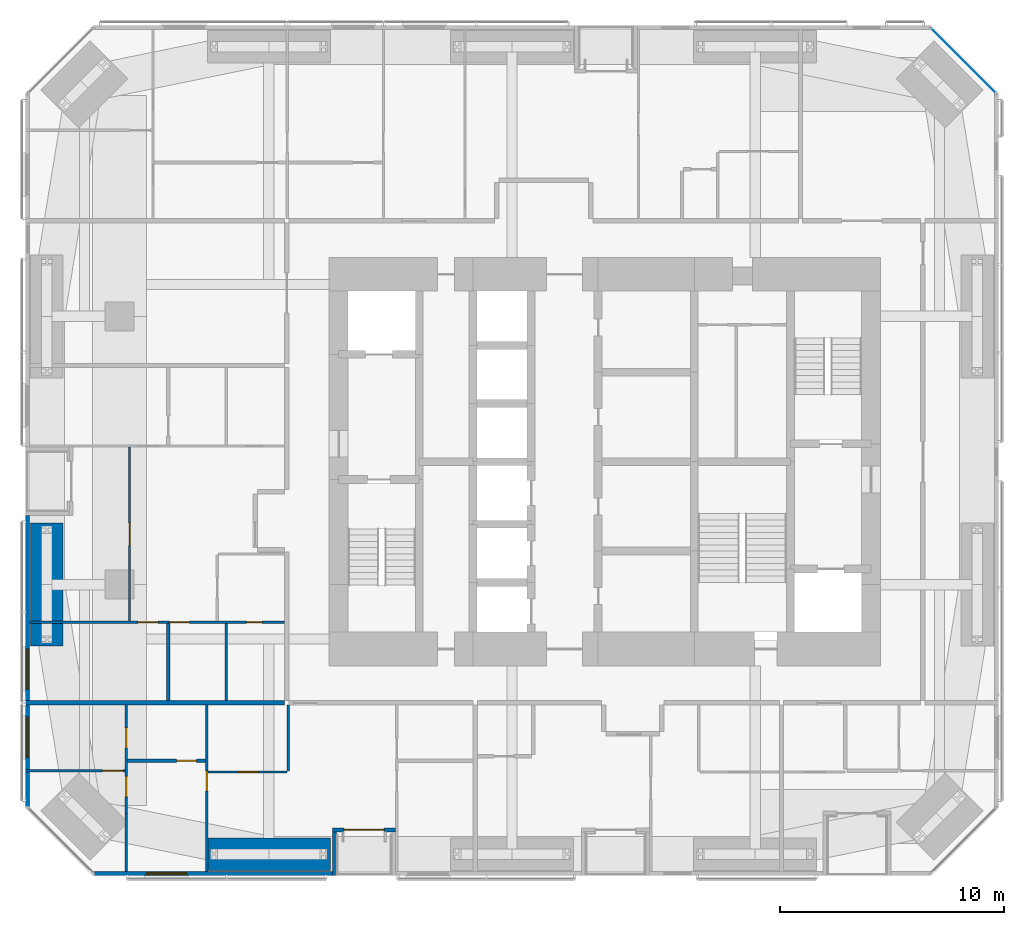
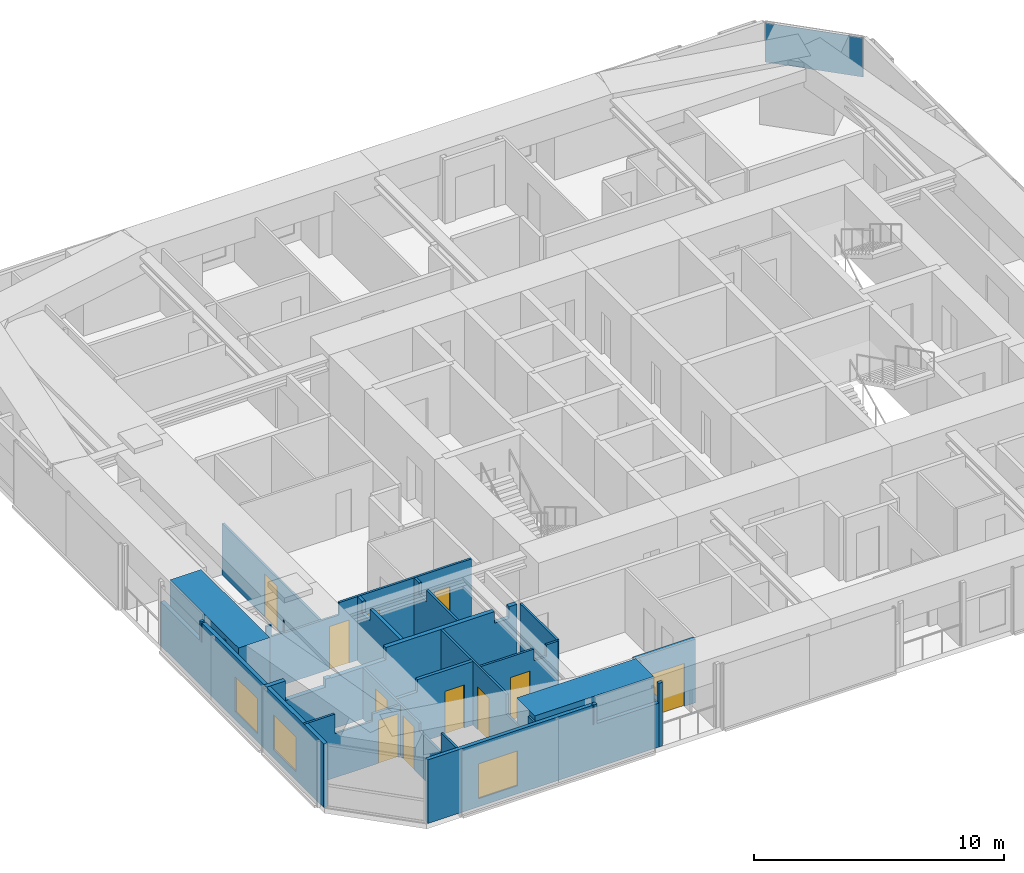
# One storey, part 16 of 23: 18 walls, 11 doors, 3 windows, 1 plate, 14 openings, 1 element without a shape of its own.
"""IFC4 building model written with IfcOpenShell, lengths in metres."""

from ifc_helpers import new_model, si_unit, direction, frame, frame_2d, origin, origin_2d, place, context, subcontext, project, spatial, polyline, rectangle, outline, extrude, material, layer, layer_set, constituent, constituent_set, type_object, element, fill, aggregate, save


model = new_model("IFC4")

# Units and contexts
model_context = context("Model", 3, precision=1e-05, world=origin(), true_north=direction((0.0, 1.0)))
body_context = subcontext(model_context, "Body", "Model", "MODEL_VIEW")
ifc_project = project(units=[si_unit("LENGTHUNIT", "METRE"), si_unit("AREAUNIT", "SQUARE_METRE"), si_unit("VOLUMEUNIT", "CUBIC_METRE"), si_unit("PLANEANGLEUNIT", "RADIAN"), si_unit("MASSUNIT", "GRAM", prefix="KILO")], contexts=[model_context])

# Site, building, storey
site_placement = place(None, origin())
site = spatial("IfcSite", under=ifc_project, at=site_placement, CompositionType="ELEMENT")
building_placement = place(site_placement, origin())
building = spatial("IfcBuilding", under=site, at=building_placement, Name="Jalousie Tower", CompositionType="ELEMENT")
storey_placement = place(building_placement, frame((0.0, 0.0, 104.85009765625)))
storey = spatial("IfcBuildingStorey", under=building, at=storey_placement, Name="L28", CompositionType="ELEMENT", Elevation=104.85009765625)

# Curtain wall, plate
ifc_material_1 = material(Name="Aluminium curtain wall", Category="aluminium")
curtain_wall_type = type_object("IfcCurtainWallType", Name="CORNER WINDOW WALL", PredefinedType="USERDEFINED", material=ifc_material_1)
curtain_wall_placement = place(storey_placement, origin())
curtain_wall = element("IfcCurtainWall", 1, at=curtain_wall_placement, inside=storey, type_object=curtain_wall_type, Name="Corner Window Wall L28 4", ObjectType="CORNER WINDOW WALL", PredefinedType="USERDEFINED")
ifc_material_2 = material(Name="Laminated impact-rated spandrel glass", Category="glass")
ifc_layer_1 = layer(ifc_material_2, 0.028076171875)
ifc_layer_set_1 = layer_set([ifc_layer_1], Name="Laminated impact-rated spandrel glass")
plate_type = type_object("IfcPlateType", Name="CORNER WINDOW WALL PANEL", PredefinedType="CURTAIN_PANEL", material=ifc_layer_set_1)
plate_placement = place(storey_placement, frame((47.9306640625, 36.4306640625, 1.1298828125), z_axis=(0.0, 0.0, 1.0), x_axis=(-0.707106781187, 0.707106781187, 0.0)))
plate = element("IfcPlate", 2, at=plate_placement, type_object=plate_type, Name="CW-C panel 1.2", PredefinedType="CURTAIN_PANEL", context=body_context, shape_type="SweptSolid", body=[
    extrude(rectangle(XDim=4.071533203125, YDim=0.028076171875, at=origin_2d()), origin(), (0.0, 0.0, 1.0), 1.919921875),
])
aggregate(curtain_wall, [plate])

# Wall, opening, door
ifc_material_3 = material(Name="Concrete block ASTM C90", Category="concrete")
ifc_constituent_1 = constituent(ifc_material_3, Name="Body")
ifc_material_4 = material(Name="Render")
ifc_constituent_2 = constituent(ifc_material_4, Name="Finish")
ifc_constituent_set_1 = constituent_set(constituents=[ifc_constituent_1, ifc_constituent_2])
wall_type_1 = type_object("IfcWallType", Name="BATHROOM WALL 150", PredefinedType="PLUMBINGWALL", material=ifc_constituent_set_1)
wall_1_placement = place(storey_placement, frame((10.550048828125, 5.125, 0.0), z_axis=(0.0, 0.0, 1.0), x_axis=(1.0, 0.0, 0.0)))
wall_1 = element("IfcWall", 3, at=wall_1_placement, inside=storey, type_object=wall_type_1, Name="Bathroom Wall 150 L28", PredefinedType="PLUMBINGWALL", context=body_context, shape_type="SweptSolid", body=[
    extrude(outline(polyline([(0.0, 0.0), (3.5, 0.0), (3.5, 3.10986328125), (0.93505859375, 3.10986328125), (0.93505859375, 2.510009765625), (0.0, 2.510009765625), (0.0, 3.10986328125), (0.0, 0.0)])), frame((0.0, 0.074951171875, 0.0), z_axis=(0.0, -1.0, 0.0), x_axis=(1.0, 0.0, 0.0)), (0.0, 0.0, 1.0), 0.14990234375),
])
opening_1_placement = place(wall_1_placement, frame((2.199951171875, 0.0, 0.0)))
opening_1 = element("IfcOpeningElement", 4, at=opening_1_placement, cuts=wall_1, Name="Opening D3", PredefinedType="OPENING", context=body_context, shape_type="SweptSolid", body=[
    extrude(rectangle(XDim=0.89990234375, YDim=2.10009765625, at=frame_2d((0.449951171875, 1.050048828125))), frame((0.0, 0.0849609375, 0.0), z_axis=(0.0, -1.0, 0.0), x_axis=(1.0, 0.0, 0.0)), (0.0, 0.0, 1.0), 0.169921875),
])
ifc_material_5 = material(Name="Timber door", Category="wood")
door_type_1 = type_object("IfcDoorType", Name="BATHROOM DOOR 900", OperationType="SINGLE_SWING_LEFT", PredefinedType="DOOR", material=ifc_material_5)
door_1_placement = place(opening_1_placement, origin())
door_1 = element("IfcDoor", 5, at=door_1_placement, inside=storey, type_object=door_type_1, Name="Apartment 2801 bedroom 2 bathroom door", OperationType="SINGLE_SWING_RIGHT", OverallHeight=2.10009765625, OverallWidth=0.89990234375, PredefinedType="DOOR", context=body_context, shape_type="SweptSolid", body=[
    extrude(rectangle(XDim=0.89990234375, YDim=2.10009765625, at=frame_2d((0.449951171875, 1.050048828125))), frame((0.0, 0.02490234375, 0.0), z_axis=(0.0, -1.0, 0.0), x_axis=(1.0, 0.0, 0.0)), (0.0, 0.0, 1.0), 0.050048828125),
])
fill(opening_1, door_1)

# Wall
wall_2_placement = place(storey_placement, frame((12.375, 7.824951171875, 0.0), z_axis=(0.0, 0.0, 1.0), x_axis=(0.0, 1.0, 0.0)))
element("IfcWall", 6, at=wall_2_placement, inside=storey, type_object=wall_type_1, Name="Bathroom Wall 150 L28", PredefinedType="PLUMBINGWALL", context=body_context, shape_type="SweptSolid", body=[
    extrude(outline(polyline([(0.0, 0.0), (3.449951171875, 0.0), (3.449951171875, 3.10986328125), (3.0625, 3.10986328125), (3.0625, 2.541015625), (2.4375, 2.541015625), (2.4375, 3.10986328125), (0.0, 3.10986328125), (0.0, 0.0)])), frame((0.0, 0.074951171875, 0.0), z_axis=(0.0, -1.0, 0.0), x_axis=(1.0, 0.0, 0.0)), (0.0, 0.0, 1.0), 0.14990234375),
])

# Wall, opening, window
ifc_material_6 = material(Name="Concrete f'c 40 MPa", Category="concrete")
ifc_constituent_3 = constituent(ifc_material_6, Name="Body")
ifc_material_7 = material(Name="Render, pastel sea green")
ifc_constituent_4 = constituent(ifc_material_7, Name="Finish")
ifc_constituent_set_2 = constituent_set(constituents=[ifc_constituent_3, ifc_constituent_4])
wall_type_2 = type_object("IfcWallType", Name="EXTERNAL WALL 175 SEA GREEN RENDER", PredefinedType="SOLIDWALL", material=ifc_constituent_set_2)
wall_3_placement = place(storey_placement, frame((9.05126953125, 0.08740234375, 0.0), z_axis=(0.0, 0.0, 1.0), x_axis=(1.0, 0.0, 0.0)))
wall_3 = element("IfcWall", 7, at=wall_3_placement, inside=storey, type_object=wall_type_2, Name="External Wall 175 Sea Green Render L28", PredefinedType="SOLIDWALL", context=body_context, shape_type="SweptSolid", body=[
    extrude(outline(polyline([(0.0, 0.0), (10.673828125, 0.0), (10.673583984375, 2.14990234375), (7.82373046875, 2.14990234375), (7.82373046875, 3.10986328125), (7.66552734375, 3.10986328125), (7.66552734375, 2.14990234375), (7.620361328125, 2.14990234375), (7.620361328125, 3.10986328125), (0.0, 3.10986328125), (0.0, 0.0)])), frame((0.0, 0.08740234375, 0.0), z_axis=(0.0, -1.0, 0.0), x_axis=(1.0, 0.0, 0.0)), (0.0, 0.0, 1.0), 0.175048828125),
])
opening_2_placement = place(wall_3_placement, frame((2.3486328125, 0.0, 0.39990234375)))
opening_2 = element("IfcOpeningElement", 8, at=opening_2_placement, cuts=wall_3, Name="Opening W-BED170", PredefinedType="OPENING", context=body_context, shape_type="SweptSolid", body=[
    extrude(rectangle(XDim=1.800048828125, YDim=1.699951171875, at=frame_2d((0.89990234375, 0.85009765625))), frame((0.0, 0.097412109375, 0.0), z_axis=(0.0, -1.0, 0.0), x_axis=(1.0, 0.0, 0.0)), (0.0, 0.0, 1.0), 0.195068359375),
])
ifc_material_8 = material(Name="Aluminium frame, impact-rated glazing", Category="aluminium")
window_type = type_object("IfcWindowType", Name="WINDOW BED 1800x1700", PartitioningType="SINGLE_PANEL", PredefinedType="WINDOW", material=ifc_material_8)
window_1_placement = place(opening_2_placement, origin())
window_1 = element("IfcWindow", 9, at=window_1_placement, inside=storey, type_object=window_type, Name="Apartment 2801 bedroom 2 window", OverallHeight=1.699951171875, OverallWidth=1.800048828125, PartitioningType="SINGLE_PANEL", PredefinedType="WINDOW", context=body_context, shape_type="SweptSolid", body=[
    extrude(rectangle(XDim=1.800048828125, YDim=1.699951171875, at=frame_2d((0.89990234375, 0.85009765625))), frame((0.0, 0.030029296875, 0.0), z_axis=(0.0, -1.0, 0.0), x_axis=(1.0, 0.0, 0.0)), (0.0, 0.0, 1.0), 0.06005859375),
])
fill(opening_2, window_1)

# Wall, opening, door
wall_4_placement = place(storey_placement, frame((19.72509765625, 2.03759765625, 0.0), z_axis=(0.0, 0.0, 1.0), x_axis=(1.0, 0.0, 0.0)))
wall_4 = element("IfcWall", 10, at=wall_4_placement, inside=storey, type_object=wall_type_2, Name="External Wall 175 Sea Green Render L28", PredefinedType="SOLIDWALL", context=body_context, shape_type="SweptSolid", body=[
    extrude(rectangle(XDim=2.824951171875, YDim=0.175048828125, at=frame_2d((1.41259765625, 0.0))), origin(), (0.0, 0.0, 1.0), 3.10986328125),
])
opening_3_placement = place(wall_4_placement, frame((0.512451171875, 0.0, 0.0)))
opening_3 = element("IfcOpeningElement", 11, at=opening_3_placement, cuts=wall_4, Name="Opening D-BAL21", PredefinedType="OPENING", context=body_context, shape_type="SweptSolid", body=[
    extrude(rectangle(XDim=1.800048828125, YDim=2.10009765625, at=frame_2d((0.89990234375, 1.050048828125))), frame((0.0, 0.097412109375, 0.0), z_axis=(0.0, -1.0, 0.0), x_axis=(1.0, 0.0, 0.0)), (0.0, 0.0, 1.0), 0.195068359375),
])
ifc_material_9 = material(Name="Aluminium frame, impact-rated glazing", Category="aluminium")
door_type_2 = type_object("IfcDoorType", Name="BALCONY DOOR 1800x2100", OperationType="SLIDING_TO_LEFT", PredefinedType="DOOR", material=ifc_material_9)
door_2_placement = place(opening_3_placement, origin())
door_2 = element("IfcDoor", 12, at=door_2_placement, inside=storey, type_object=door_type_2, Name="Apartment 2801 living and dining room loggia door", OperationType="SLIDING_TO_LEFT", OverallHeight=2.10009765625, OverallWidth=1.800048828125, PredefinedType="DOOR", context=body_context, shape_type="SweptSolid", body=[
    extrude(rectangle(XDim=1.800048828125, YDim=2.10009765625, at=frame_2d((0.89990234375, 1.050048828125))), frame((0.0, 0.02490234375, 0.0), z_axis=(0.0, -1.0, 0.0), x_axis=(1.0, 0.0, 0.0)), (0.0, 0.0, 1.0), 0.050048828125),
])
fill(opening_3, door_2)

# Wall
wall_5_placement = place(storey_placement, frame((19.8125, 0.0, 0.0), z_axis=(0.0, 0.0, 1.0), x_axis=(0.0, 1.0, 0.0)))
element("IfcWall", 13, at=wall_5_placement, inside=storey, type_object=wall_type_2, Name="External Wall 175 Sea Green Render L28", PredefinedType="SOLIDWALL", context=body_context, shape_type="SweptSolid", body=[
    extrude(outline(polyline([(0.0, 0.0), (1.949951171875, 0.0), (1.949951171875, 3.10986328125), (1.75, 3.10986328125), (1.75, 2.14990234375), (0.14990234375, 2.14990234375), (0.14990234375, 3.10986328125), (0.0, 3.10986328125), (0.0, 0.0)])), frame((0.0, 0.08740234375, 0.0), z_axis=(0.0, -1.0, 0.0), x_axis=(1.0, 0.0, 0.0)), (0.0, 0.0, 1.0), 0.175048828125),
])

# Wall, openings, windows
wall_6_placement = place(storey_placement, frame((6.08740234375, 16.10009765625, 0.0), z_axis=(0.0, 0.0, 1.0), x_axis=(0.0, -1.0, 0.0)))
wall_6 = element("IfcWall", 14, at=wall_6_placement, inside=storey, type_object=wall_type_2, Name="External Wall 175 Sea Green Render L28", PredefinedType="SOLIDWALL", context=body_context, shape_type="SweptSolid", body=[
    extrude(outline(polyline([(0.0, 0.0), (13.048828125, 0.0), (13.048583984375, 3.10986328125), (3.318603515625, 3.10986328125), (3.318603515625, 2.14990234375), (3.2255859375, 2.14990234375), (3.2255859375, 3.10986328125), (3.10009765625, 3.10986328125), (3.10009765625, 2.14990234375), (0.0, 2.14990234375), (0.0, 0.0)])), frame((0.0, 0.08740234375, 0.0), z_axis=(0.0, -1.0, 0.0), x_axis=(1.0, 0.0, 0.0)), (0.0, 0.0, 1.0), 0.175048828125),
])
opening_4_placement = place(wall_6_placement, frame((5.97509765625, 0.0, 0.39990234375)))
opening_4 = element("IfcOpeningElement", 15, at=opening_4_placement, cuts=wall_6, Name="Opening W-BED170", PredefinedType="OPENING", context=body_context, shape_type="SweptSolid", body=[
    extrude(rectangle(XDim=1.800048828125, YDim=1.699951171875, at=frame_2d((0.89990234375, 0.85009765625))), frame((0.0, 0.097412109375, 0.0), z_axis=(0.0, -1.0, 0.0), x_axis=(1.0, 0.0, 0.0)), (0.0, 0.0, 1.0), 0.195068359375),
])
opening_5_placement = place(wall_6_placement, frame((9.024658203125, 0.0, 0.39990234375)))
opening_5 = element("IfcOpeningElement", 16, at=opening_5_placement, cuts=wall_6, Name="Opening W-BED170", PredefinedType="OPENING", context=body_context, shape_type="SweptSolid", body=[
    extrude(rectangle(XDim=1.800048828125, YDim=1.699951171875, at=frame_2d((0.89990234375, 0.85009765625))), frame((0.0, 0.097412109375, 0.0), z_axis=(0.0, -1.0, 0.0), x_axis=(1.0, 0.0, 0.0)), (0.0, 0.0, 1.0), 0.195068359375),
])
window_2_placement = place(opening_4_placement, origin())
window_2 = element("IfcWindow", 17, at=window_2_placement, inside=storey, type_object=window_type, Name="Apartment 2805 bedroom 1 window", OverallHeight=1.699951171875, OverallWidth=1.800048828125, PartitioningType="SINGLE_PANEL", PredefinedType="WINDOW", context=body_context, shape_type="SweptSolid", body=[
    extrude(rectangle(XDim=1.800048828125, YDim=1.699951171875, at=frame_2d((0.89990234375, 0.85009765625))), frame((0.0, 0.030029296875, 0.0), z_axis=(0.0, -1.0, 0.0), x_axis=(1.0, 0.0, 0.0)), (0.0, 0.0, 1.0), 0.06005859375),
])
fill(opening_4, window_2)
window_3_placement = place(opening_5_placement, origin())
window_3 = element("IfcWindow", 18, at=window_3_placement, inside=storey, type_object=window_type, Name="Apartment 2801 bedroom 1 window", OverallHeight=1.699951171875, OverallWidth=1.800048828125, PartitioningType="SINGLE_PANEL", PredefinedType="WINDOW", context=body_context, shape_type="SweptSolid", body=[
    extrude(rectangle(XDim=1.800048828125, YDim=1.699951171875, at=frame_2d((0.89990234375, 0.85009765625))), frame((0.0, 0.030029296875, 0.0), z_axis=(0.0, -1.0, 0.0), x_axis=(1.0, 0.0, 0.0)), (0.0, 0.0, 1.0), 0.06005859375),
])
fill(opening_5, window_3)

# Wall
ifc_material_10 = material(Name="Gypsum board", Category="gypsum")
ifc_constituent_5 = constituent(ifc_material_10, Name="Body")
ifc_material_11 = material(Name="Light-gauge steel studs ASTM A653 SS Grade 33", Category="steel")
ifc_constituent_6 = constituent(ifc_material_11, Name="Framing")
ifc_constituent_set_3 = constituent_set(constituents=[ifc_constituent_5, ifc_constituent_6])
wall_type_3 = type_object("IfcWallType", Name="PARTITION 100", PredefinedType="PARTITIONING", material=ifc_constituent_set_3)
wall_7_placement = place(storey_placement, frame((10.5, 0.175048828125, 0.0), z_axis=(0.0, 0.0, 1.0), x_axis=(0.0, 1.0, 0.0)))
element("IfcWall", 19, at=wall_7_placement, inside=storey, type_object=wall_type_3, Name="Partition 100 L28-A", PredefinedType="PARTITIONING", context=body_context, shape_type="SweptSolid", body=[
    extrude(outline(polyline([(0.0, 0.0), (2.5849609375, 0.0), (2.5849609375, 2.14990234375), (1.197509765625, 2.14990234375), (1.197509765625, 3.10986328125), (0.0, 3.10986328125), (0.0, 0.0)])), frame((0.0, 0.050048828125, 0.0), z_axis=(0.0, -1.0, 0.0), x_axis=(1.0, 0.0, 0.0)), (0.0, 0.0, 1.0), 0.10009765625),
])

# Wall, openings, doors
wall_8_placement = place(storey_placement, frame((10.5, 2.760009765625, 0.0), z_axis=(0.0, 0.0, 1.0), x_axis=(0.0, 1.0, 0.0)))
wall_8 = element("IfcWall", 20, at=wall_8_placement, inside=storey, type_object=wall_type_3, Name="Partition 100 L28-B", PredefinedType="PARTITIONING", context=body_context, shape_type="SweptSolid", body=[
    extrude(outline(polyline([(0.0, 0.0), (4.864990234375, 0.0), (4.864990234375, 2.510009765625), (0.3681640625, 2.510009765625), (0.3681640625, 2.14990234375), (0.0, 2.14990234375), (0.0, 0.0)])), frame((0.0, 0.050048828125, 0.0), z_axis=(0.0, -1.0, 0.0), x_axis=(1.0, 0.0, 0.0)), (0.0, 0.0, 1.0), 0.10009765625),
])
opening_6_placement = place(wall_8_placement, frame((0.76611328125, 0.0, 0.0)))
opening_6 = element("IfcOpeningElement", 21, at=opening_6_placement, cuts=wall_8, Name="Opening D2", PredefinedType="OPENING", context=body_context, shape_type="SweptSolid", body=[
    extrude(rectangle(XDim=0.89990234375, YDim=2.10009765625, at=frame_2d((0.449951171875, 1.050048828125))), frame((0.0, 0.06005859375, 0.0), z_axis=(0.0, -1.0, 0.0), x_axis=(1.0, 0.0, 0.0)), (0.0, 0.0, 1.0), 0.1201171875),
])
opening_7_placement = place(wall_8_placement, frame((2.940673828125, 0.0, 0.0)))
opening_7 = element("IfcOpeningElement", 22, at=opening_7_placement, cuts=wall_8, Name="Opening D3", PredefinedType="OPENING", context=body_context, shape_type="SweptSolid", body=[
    extrude(rectangle(XDim=0.89990234375, YDim=2.10009765625, at=frame_2d((0.449951171875, 1.050048828125))), frame((0.0, 0.06005859375, 0.0), z_axis=(0.0, -1.0, 0.0), x_axis=(1.0, 0.0, 0.0)), (0.0, 0.0, 1.0), 0.1201171875),
])
door_3_placement = place(opening_7_placement, frame((0.89990234375, 0.0, 0.0), z_axis=(0.0, 0.0, 1.0), x_axis=(-1.0, 0.0, 0.0)))
door_3 = element("IfcDoor", 23, at=door_3_placement, inside=storey, type_object=door_type_1, Name="Apartment 2801 bedroom 1 bathroom door", OperationType="SINGLE_SWING_RIGHT", OverallHeight=2.10009765625, OverallWidth=0.89990234375, PredefinedType="DOOR", context=body_context, shape_type="SweptSolid", body=[
    extrude(rectangle(XDim=0.89990234375, YDim=2.10009765625, at=frame_2d((0.449951171875, 1.050048828125))), frame((0.0, 0.02490234375, 0.0), z_axis=(0.0, -1.0, 0.0), x_axis=(1.0, 0.0, 0.0)), (0.0, 0.0, 1.0), 0.050048828125),
])
fill(opening_7, door_3)
ifc_material_12 = material(Name="Timber door", Category="wood")
door_type_3 = type_object("IfcDoorType", Name="BEDROOM DOOR 900", OperationType="SINGLE_SWING_LEFT", PredefinedType="DOOR", material=ifc_material_12)
door_4_placement = place(opening_6_placement, frame((0.89990234375, 0.0, 0.0), z_axis=(0.0, 0.0, 1.0), x_axis=(-1.0, 0.0, 0.0)))
door_4 = element("IfcDoor", 24, at=door_4_placement, inside=storey, type_object=door_type_3, Name="Apartment 2801 bedroom 1 door", OperationType="SINGLE_SWING_LEFT", OverallHeight=2.10009765625, OverallWidth=0.89990234375, PredefinedType="DOOR", context=body_context, shape_type="SweptSolid", body=[
    extrude(rectangle(XDim=0.89990234375, YDim=2.10009765625, at=frame_2d((0.449951171875, 1.050048828125))), frame((0.0, 0.02490234375, 0.0), z_axis=(0.0, -1.0, 0.0), x_axis=(1.0, 0.0, 0.0)), (0.0, 0.0, 1.0), 0.050048828125),
])
fill(opening_6, door_4)

# Wall, opening, door
wall_9_placement = place(storey_placement, frame((14.10009765625, 0.175048828125, 0.0), z_axis=(0.0, 0.0, 1.0), x_axis=(0.0, 1.0, 0.0)))
wall_9 = element("IfcWall", 25, at=wall_9_placement, inside=storey, type_object=wall_type_3, Name="Partition 100 L28", PredefinedType="PARTITIONING", context=body_context, shape_type="SweptSolid", body=[
    extrude(outline(polyline([(0.0, 0.0), (7.449951171875, 0.0), (7.449951171875, 3.10986328125), (2.21875, 3.10986328125), (2.21875, 2.14990234375), (0.46337890625, 2.14990234375), (0.46337890625, 3.10986328125), (0.0, 3.10986328125), (0.0, 0.0)])), frame((0.0, 0.050048828125, 0.0), z_axis=(0.0, -1.0, 0.0), x_axis=(1.0, 0.0, 0.0)), (0.0, 0.0, 1.0), 0.10009765625),
])
opening_8_placement = place(wall_9_placement, frame((3.60009765625, 0.0, 0.0)))
opening_8 = element("IfcOpeningElement", 26, at=opening_8_placement, cuts=wall_9, Name="Opening D2", PredefinedType="OPENING", context=body_context, shape_type="SweptSolid", body=[
    extrude(rectangle(XDim=0.89990234375, YDim=2.10009765625, at=frame_2d((0.449951171875, 1.050048828125))), frame((0.0, 0.06005859375, 0.0), z_axis=(0.0, -1.0, 0.0), x_axis=(1.0, 0.0, 0.0)), (0.0, 0.0, 1.0), 0.1201171875),
])
door_5_placement = place(opening_8_placement, origin())
door_5 = element("IfcDoor", 27, at=door_5_placement, inside=storey, type_object=door_type_3, Name="Apartment 2801 bedroom 2 door", OperationType="SINGLE_SWING_RIGHT", OverallHeight=2.10009765625, OverallWidth=0.89990234375, PredefinedType="DOOR", context=body_context, shape_type="SweptSolid", body=[
    extrude(rectangle(XDim=0.89990234375, YDim=2.10009765625, at=frame_2d((0.449951171875, 1.050048828125))), frame((0.0, 0.02490234375, 0.0), z_axis=(0.0, -1.0, 0.0), x_axis=(1.0, 0.0, 0.0)), (0.0, 0.0, 1.0), 0.050048828125),
])
fill(opening_8, door_5)

wall_10_placement = place(storey_placement, frame((6.0, 4.67578125, 0.0), z_axis=(0.0, 0.0, 1.0), x_axis=(1.0, 0.0, 0.0)))
wall_10 = element("IfcWall", 28, at=wall_10_placement, inside=storey, type_object=wall_type_3, Name="Partition 100 L28", PredefinedType="PARTITIONING", context=body_context, shape_type="SweptSolid", body=[
    extrude(outline(polyline([(0.0, 0.0), (4.449951171875, 0.0), (4.449951171875, 3.10986328125), (4.449951171875, 2.510009765625), (3.171142578125, 2.510009765625), (3.171142578125, 2.14990234375), (1.4287109375, 2.14990234375), (1.4287109375, 3.10986328125), (0.0, 3.10986328125), (0.0, 0.0)])), frame((0.0, 0.050048828125, 0.0), z_axis=(0.0, -1.0, 0.0), x_axis=(1.0, 0.0, 0.0)), (0.0, 0.0, 1.0), 0.10009765625),
])
opening_9_placement = place(wall_10_placement, frame((3.449951171875, 0.0, 0.0)))
opening_9 = element("IfcOpeningElement", 29, at=opening_9_placement, cuts=wall_10, Name="Opening D7", PredefinedType="OPENING", context=body_context, shape_type="SweptSolid", body=[
    extrude(rectangle(XDim=0.89990234375, YDim=2.10009765625, at=frame_2d((0.449951171875, 1.050048828125))), frame((0.0, 0.06005859375, 0.0), z_axis=(0.0, -1.0, 0.0), x_axis=(1.0, 0.0, 0.0)), (0.0, 0.0, 1.0), 0.1201171875),
])
ifc_material_13 = material(Name="Timber door", Category="wood")
door_type_4 = type_object("IfcDoorType", Name="INTERNAL DOOR 900", OperationType="SINGLE_SWING_LEFT", PredefinedType="DOOR", material=ifc_material_13)
door_6_placement = place(opening_9_placement, origin())
door_6 = element("IfcDoor", 30, at=door_6_placement, inside=storey, type_object=door_type_4, Name="Apartment 2801 bedroom 1 dressing hall door", OperationType="SINGLE_SWING_RIGHT", OverallHeight=2.10009765625, OverallWidth=0.89990234375, PredefinedType="DOOR", context=body_context, shape_type="SweptSolid", body=[
    extrude(rectangle(XDim=0.89990234375, YDim=2.10009765625, at=frame_2d((0.449951171875, 1.050048828125))), frame((0.0, 0.02490234375, 0.0), z_axis=(0.0, -1.0, 0.0), x_axis=(1.0, 0.0, 0.0)), (0.0, 0.0, 1.0), 0.050048828125),
])
fill(opening_9, door_6)

wall_11_placement = place(storey_placement, frame((14.14990234375, 4.625, 0.0), z_axis=(0.0, 0.0, 1.0), x_axis=(1.0, 0.0, 0.0)))
wall_11 = element("IfcWall", 31, at=wall_11_placement, inside=storey, type_object=wall_type_3, Name="Partition 100 L28", PredefinedType="PARTITIONING", context=body_context, shape_type="SweptSolid", body=[
    extrude(outline(polyline([(0.0, 0.0), (3.550048828125, 0.0), (3.550048828125, 3.10986328125), (3.01220703125, 3.10986328125), (3.01220703125, 2.541015625), (2.4375, 2.541015625), (2.4375, 3.10986328125), (0.0, 3.10986328125), (0.0, 0.0)])), frame((0.0, 0.050048828125, 0.0), z_axis=(0.0, -1.0, 0.0), x_axis=(1.0, 0.0, 0.0)), (0.0, 0.0, 1.0), 0.10009765625),
])
opening_10_placement = place(wall_11_placement, frame((1.35009765625, 0.0, 0.0)))
opening_10 = element("IfcOpeningElement", 32, at=opening_10_placement, cuts=wall_11, Name="Opening D7", PredefinedType="OPENING", context=body_context, shape_type="SweptSolid", body=[
    extrude(rectangle(XDim=0.89990234375, YDim=2.10009765625, at=frame_2d((0.449951171875, 1.050048828125))), frame((0.0, 0.06005859375, 0.0), z_axis=(0.0, -1.0, 0.0), x_axis=(1.0, 0.0, 0.0)), (0.0, 0.0, 1.0), 0.1201171875),
])
door_7_placement = place(opening_10_placement, frame((0.89990234375, 0.0, 0.0), z_axis=(0.0, 0.0, 1.0), x_axis=(-1.0, 0.0, 0.0)))
door_7 = element("IfcDoor", 33, at=door_7_placement, inside=storey, type_object=door_type_4, Name="Apartment 2801 kitchen door", OperationType="SINGLE_SWING_RIGHT", OverallHeight=2.10009765625, OverallWidth=0.89990234375, PredefinedType="DOOR", context=body_context, shape_type="SweptSolid", body=[
    extrude(rectangle(XDim=0.89990234375, YDim=2.10009765625, at=frame_2d((0.449951171875, 1.050048828125))), frame((0.0, 0.02490234375, 0.0), z_axis=(0.0, -1.0, 0.0), x_axis=(1.0, 0.0, 0.0)), (0.0, 0.0, 1.0), 0.050048828125),
])
fill(opening_10, door_7)

# Wall
wall_12_placement = place(storey_placement, frame((17.75, 4.675048828125, 0.0), z_axis=(0.0, 0.0, 1.0), x_axis=(0.0, 1.0, 0.0)))
element("IfcWall", 34, at=wall_12_placement, inside=storey, type_object=wall_type_3, Name="Partition 100 L28", PredefinedType="PARTITIONING", context=body_context, shape_type="SweptSolid", body=[
    extrude(rectangle(XDim=2.949951171875, YDim=0.10009765625, at=frame_2d((1.47509765625, 0.0))), origin(), (0.0, 0.0, 1.0), 3.10986328125),
])

# Wall, openings, doors
wall_13_placement = place(storey_placement, frame((6.175048828125, 11.324951171875, 0.0), z_axis=(0.0, 0.0, 1.0), x_axis=(1.0, 0.0, 0.0)))
wall_13 = element("IfcWall", 35, at=wall_13_placement, inside=storey, type_object=wall_type_3, Name="Partition 100 L28", PredefinedType="PARTITIONING", context=body_context, shape_type="SweptSolid", body=[
    extrude(outline(polyline([(0.17529296875, 3.10986328125), (0.0, 3.10986328125), (0.0, 0.0), (0.52880859375, 0.0), (0.52880859375, 0.32470703125), (1.021240234375, 0.32470703125), (1.021240234375, 0.0), (11.39990234375, 0.0), (11.39990234375, 3.10986328125), (5.284912109375, 3.10986328125), (5.284912109375, 2.510009765625), (2.764892578125, 2.510009765625), (2.764892578125, 3.10986328125), (2.74365234375, 3.10986328125), (2.74365234375, 2.541015625), (2.1689453125, 2.541015625), (2.1689453125, 3.10986328125), (1.91796875, 3.10986328125), (1.91796875, 2.14990234375), (1.021240234375, 2.14990234375), (1.021240234375, 1.8251953125), (0.52880859375, 1.8251953125), (0.52880859375, 2.14990234375), (0.17529296875, 2.14990234375), (0.17529296875, 3.10986328125)])), frame((0.0, 0.050048828125, 0.0), z_axis=(0.0, -1.0, 0.0), x_axis=(1.0, 0.0, 0.0)), (0.0, 0.0, 1.0), 0.10009765625),
])
opening_11_placement = place(wall_13_placement, frame((4.85009765625, 0.0, 0.0)))
opening_11 = element("IfcOpeningElement", 36, at=opening_11_placement, cuts=wall_13, Name="Opening D2", PredefinedType="OPENING", context=body_context, shape_type="SweptSolid", body=[
    extrude(rectangle(XDim=0.89990234375, YDim=2.10009765625, at=frame_2d((0.449951171875, 1.050048828125))), frame((0.0, 0.06005859375, 0.0), z_axis=(0.0, -1.0, 0.0), x_axis=(1.0, 0.0, 0.0)), (0.0, 0.0, 1.0), 0.1201171875),
])
opening_12_placement = place(wall_13_placement, frame((6.25, 0.0, 0.0)))
opening_12 = element("IfcOpeningElement", 37, at=opening_12_placement, cuts=wall_13, Name="Opening D7", PredefinedType="OPENING", context=body_context, shape_type="SweptSolid", body=[
    extrude(rectangle(XDim=0.89990234375, YDim=2.10009765625, at=frame_2d((0.449951171875, 1.050048828125))), frame((0.0, 0.06005859375, 0.0), z_axis=(0.0, -1.0, 0.0), x_axis=(1.0, 0.0, 0.0)), (0.0, 0.0, 1.0), 0.1201171875),
])
opening_13_placement = place(wall_13_placement, frame((9.699951171875, 0.0, 0.0)))
opening_13 = element("IfcOpeningElement", 38, at=opening_13_placement, cuts=wall_13, Name="Opening D4", PredefinedType="OPENING", context=body_context, shape_type="SweptSolid", body=[
    extrude(rectangle(XDim=0.699951171875, YDim=2.10009765625, at=frame_2d((0.35009765625, 1.050048828125))), frame((0.0, 0.06005859375, 0.0), z_axis=(0.0, -1.0, 0.0), x_axis=(1.0, 0.0, 0.0)), (0.0, 0.0, 1.0), 0.1201171875),
])
door_8_placement = place(opening_11_placement, frame((0.89990234375, 0.0, 0.0), z_axis=(0.0, 0.0, 1.0), x_axis=(-1.0, 0.0, 0.0)))
door_8 = element("IfcDoor", 39, at=door_8_placement, inside=storey, type_object=door_type_3, Name="Apartment 2805 bedroom 1 door", OperationType="SINGLE_SWING_LEFT", OverallHeight=2.10009765625, OverallWidth=0.89990234375, PredefinedType="DOOR", context=body_context, shape_type="SweptSolid", body=[
    extrude(rectangle(XDim=0.89990234375, YDim=2.10009765625, at=frame_2d((0.449951171875, 1.050048828125))), frame((0.0, 0.02490234375, 0.0), z_axis=(0.0, -1.0, 0.0), x_axis=(1.0, 0.0, 0.0)), (0.0, 0.0, 1.0), 0.050048828125),
])
fill(opening_11, door_8)
door_9_placement = place(opening_12_placement, frame((0.89990234375, 0.0, 0.0), z_axis=(0.0, 0.0, 1.0), x_axis=(-1.0, 0.0, 0.0)))
door_9 = element("IfcDoor", 40, at=door_9_placement, inside=storey, type_object=door_type_4, Name="Apartment 2805 bathroom door", OperationType="SINGLE_SWING_RIGHT", OverallHeight=2.10009765625, OverallWidth=0.89990234375, PredefinedType="DOOR", context=body_context, shape_type="SweptSolid", body=[
    extrude(rectangle(XDim=0.89990234375, YDim=2.10009765625, at=frame_2d((0.449951171875, 1.050048828125))), frame((0.0, 0.02490234375, 0.0), z_axis=(0.0, -1.0, 0.0), x_axis=(1.0, 0.0, 0.0)), (0.0, 0.0, 1.0), 0.050048828125),
])
fill(opening_12, door_9)
ifc_material_14 = material(Name="Timber door", Category="wood")
door_type_5 = type_object("IfcDoorType", Name="STORE DOOR 700", OperationType="SINGLE_SWING_LEFT", PredefinedType="DOOR", material=ifc_material_14)
door_10_placement = place(opening_13_placement, frame((0.699951171875, 0.0, 0.0), z_axis=(0.0, 0.0, 1.0), x_axis=(-1.0, 0.0, 0.0)))
door_10 = element("IfcDoor", 41, at=door_10_placement, inside=storey, type_object=door_type_5, Name="Apartment 2805 store door", OperationType="SINGLE_SWING_RIGHT", OverallHeight=2.10009765625, OverallWidth=0.699951171875, PredefinedType="DOOR", context=body_context, shape_type="SweptSolid", body=[
    extrude(rectangle(XDim=0.699951171875, YDim=2.10009765625, at=frame_2d((0.35009765625, 1.050048828125))), frame((0.0, 0.02490234375, 0.0), z_axis=(0.0, -1.0, 0.0), x_axis=(1.0, 0.0, 0.0)), (0.0, 0.0, 1.0), 0.050048828125),
])
fill(opening_13, door_10)

# Wall
wall_14_placement = place(storey_placement, frame((14.97509765625, 7.824951171875, 0.0), z_axis=(0.0, 0.0, 1.0), x_axis=(0.0, 1.0, 0.0)))
element("IfcWall", 42, at=wall_14_placement, inside=storey, type_object=wall_type_3, Name="Partition 100 L28", PredefinedType="PARTITIONING", context=body_context, shape_type="SweptSolid", body=[
    extrude(outline(polyline([(0.0, 0.0), (3.449951171875, 0.0), (3.449951171875, 3.10986328125), (3.037353515625, 3.10986328125), (3.037353515625, 2.541015625), (2.462646484375, 2.541015625), (2.462646484375, 3.10986328125), (0.0, 3.10986328125), (0.0, 0.0)])), frame((0.0, 0.050048828125, 0.0), z_axis=(0.0, -1.0, 0.0), x_axis=(1.0, 0.0, 0.0)), (0.0, 0.0, 1.0), 0.10009765625),
])

# Wall, opening, door
wall_15_placement = place(storey_placement, frame((10.64990234375, 11.375, 0.0), z_axis=(0.0, 0.0, 1.0), x_axis=(0.0, 1.0, 0.0)))
wall_15 = element("IfcWall", 43, at=wall_15_placement, inside=storey, type_object=wall_type_3, Name="Partition 100 L28", PredefinedType="PARTITIONING", context=body_context, shape_type="SweptSolid", body=[
    extrude(outline(polyline([(0.0, 0.0), (7.77490234375, 0.0), (7.77490234375, 3.10986328125), (7.77490234375, 2.510009765625), (1.68505859375, 2.510009765625), (0.0, 2.510009765625), (0.0, 3.10986328125), (0.0, 0.0)])), frame((0.0, 0.050048828125, 0.0), z_axis=(0.0, -1.0, 0.0), x_axis=(1.0, 0.0, 0.0)), (0.0, 0.0, 1.0), 0.10009765625),
])
opening_14_placement = place(wall_15_placement, frame((3.387451171875, 0.0, 0.0)))
opening_14 = element("IfcOpeningElement", 44, at=opening_14_placement, cuts=wall_15, Name="Opening D6", PredefinedType="OPENING", context=body_context, shape_type="SweptSolid", body=[
    extrude(rectangle(XDim=1.0, YDim=2.10009765625, at=frame_2d((0.5, 1.050048828125))), frame((0.0, 0.06005859375, 0.0), z_axis=(0.0, -1.0, 0.0), x_axis=(1.0, 0.0, 0.0)), (0.0, 0.0, 1.0), 0.1201171875),
])
ifc_material_15 = material(Name="Timber door", Category="wood")
door_type_6 = type_object("IfcDoorType", Name="INTERNAL DOOR 1000", OperationType="SINGLE_SWING_LEFT", PredefinedType="DOOR", material=ifc_material_15)
door_11_placement = place(opening_14_placement, origin())
door_11 = element("IfcDoor", 45, at=door_11_placement, inside=storey, type_object=door_type_6, Name="Apartment 2805 hall door", OperationType="SINGLE_SWING_RIGHT", OverallHeight=2.10009765625, OverallWidth=1.0, PredefinedType="DOOR", context=body_context, shape_type="SweptSolid", body=[
    extrude(rectangle(XDim=1.0, YDim=2.10009765625, at=frame_2d((0.5, 1.050048828125))), frame((0.0, 0.02490234375, 0.0), z_axis=(0.0, -1.0, 0.0), x_axis=(1.0, 0.0, 0.0)), (0.0, 0.0, 1.0), 0.050048828125),
])
fill(opening_14, door_11)

# Walls
ifc_material_16 = material(Name="Concrete block ASTM C90", Category="concrete")
ifc_constituent_7 = constituent(ifc_material_16, Name="Body")
ifc_material_17 = material(Name="Render")
ifc_constituent_8 = constituent(ifc_material_17, Name="Finish")
ifc_constituent_set_4 = constituent_set(constituents=[ifc_constituent_7, ifc_constituent_8])
wall_type_4 = type_object("IfcWallType", Name="PARTY WALL 200", PredefinedType="PARTITIONING", material=ifc_constituent_set_4)
wall_16_placement = place(storey_placement, frame((6.0, 7.72509765625, 0.0), z_axis=(0.0, 0.0, 1.0), x_axis=(1.0, 0.0, 0.0)))
element("IfcWall", 46, at=wall_16_placement, inside=storey, type_object=wall_type_4, Name="Party Wall 200 L28", PredefinedType="PARTITIONING", context=body_context, shape_type="SweptSolid", body=[
    extrude(outline(polyline([(0.0, 0.0), (11.574951171875, 0.0), (11.574951171875, 3.10986328125), (11.21240234375, 3.10986328125), (11.21240234375, 2.541015625), (10.53759765625, 2.541015625), (10.53759765625, 3.10986328125), (5.510009765625, 3.10986328125), (5.510009765625, 2.510009765625), (2.96875, 2.510009765625), (2.96875, 2.541015625), (2.727294921875, 2.541015625), (2.727294921875, 2.14990234375), (0.883544921875, 2.14990234375), (0.883544921875, 3.10986328125), (0.0, 3.10986328125), (0.0, 0.0)])), frame((0.0, 0.10009765625, 0.0), z_axis=(0.0, -1.0, 0.0), x_axis=(1.0, 0.0, 0.0)), (0.0, 0.0, 1.0), 0.199951171875),
])
ifc_material_18 = material(Name="Concrete f'c 120 MPa", Category="concrete")
ifc_layer_2 = layer(ifc_material_18, 1.449951171875)
ifc_layer_set_2 = layer_set([ifc_layer_2], Name="Concrete f'c 120 MPa")
wall_type_5 = type_object("IfcWallType", Name="RC WALL PIER 1450", PredefinedType="SHEAR", material=ifc_layer_set_2)
for number, where, z_axis, x_axis, name in (
    (47, (14.125, 0.949951171875, 0.0), (0.0, 0.0, 1.0), (1.0, 0.0, 0.0), "Wall pier 02 L28"),
    (48, (6.949951171875, 10.25, 0.0), (0.0, 0.0, 1.0), (0.0, 1.0, 0.0), "Wall pier 14 L28"),
):
    element("IfcWall", number, at=place(storey_placement, frame(where, z_axis=z_axis, x_axis=x_axis)), inside=storey, type_object=wall_type_5, Name=name, PredefinedType="SHEAR", context=body_context, shape_type="SweptSolid", body=[
        extrude(rectangle(XDim=5.5, YDim=1.449951171875, at=frame_2d((2.75, 0.0))), origin(), (0.0, 0.0, 1.0), 3.349853515625),
    ])

save(model, "model.ifc")
